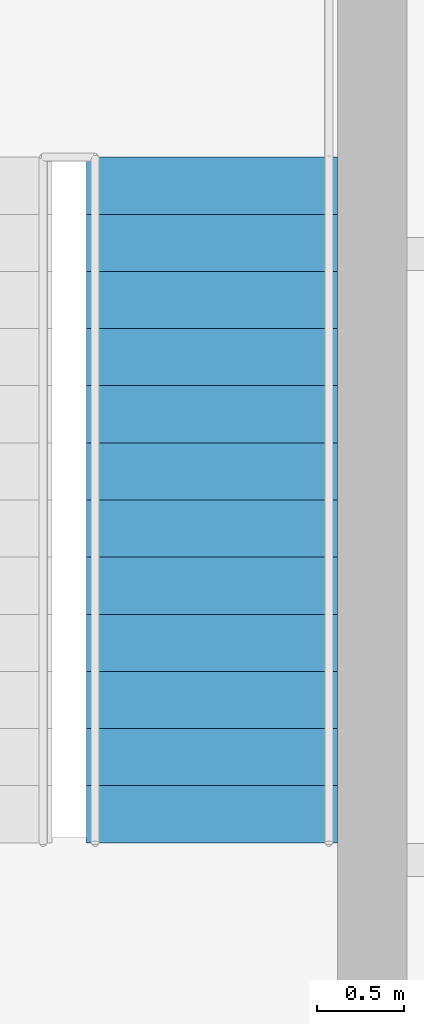
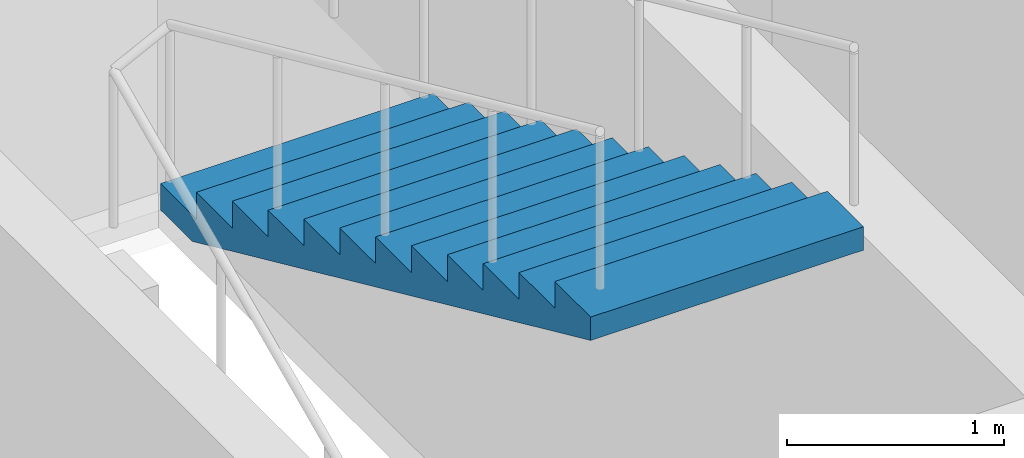
# One storey, part 9 of 10: 1 stair flight, 1 element without a shape of its own.
"""IFC4 building model written with IfcOpenShell, lengths in metres."""

from ifc_helpers import new_model, si_unit, direction, frame, origin, place, context, subcontext, project, spatial, polygons, material, type_object, element, aggregate, save


model = new_model("IFC4")

# Units and contexts
model_context = context("Model", 3, precision=1e-05, world=origin(), true_north=direction((0.0, 1.0)))
body_context = subcontext(model_context, "Body", "Model", "MODEL_VIEW")
ifc_project = project(units=[si_unit("LENGTHUNIT", "METRE"), si_unit("AREAUNIT", "SQUARE_METRE"), si_unit("VOLUMEUNIT", "CUBIC_METRE"), si_unit("PLANEANGLEUNIT", "RADIAN"), si_unit("MASSUNIT", "GRAM", prefix="KILO")], contexts=[model_context])

# Site, building, storey
site_placement = place(None, origin())
site = spatial("IfcSite", under=ifc_project, at=site_placement, CompositionType="ELEMENT")
building_placement = place(site_placement, origin())
building = spatial("IfcBuilding", under=site, at=building_placement, Name="Njiva Tower", CompositionType="ELEMENT")
storey_placement = place(building_placement, frame((0.0, 0.0, 245.4)))
storey = spatial("IfcBuildingStorey", under=building, at=storey_placement, Name="L55", CompositionType="ELEMENT", Elevation=245.4)

# Stair, stair flight
ifc_material = material(Name="Concrete C40/50", Category="concrete")
stair_type = type_object("IfcStairType", Name="ST3 Exit stair 1450", PredefinedType="HALF_TURN_STAIR", material=ifc_material)
stair_placement = place(storey_placement, origin())
stair = element("IfcStair", 1, at=stair_placement, inside=storey, type_object=stair_type, Name="Stair B", PredefinedType="HALF_TURN_STAIR")
stair_flight_type = type_object("IfcStairFlightType", Name="FL3 Stair flight 1450", PredefinedType="STRAIGHT", material=ifc_material)
stair_flight_placement = place(storey_placement, frame((13.375, 15.06, 1.95), z_axis=(0.0, 0.0, 1.0), x_axis=(0.0, -1.0, 0.0)))
stair_flight = element("IfcStairFlight", 2, at=stair_flight_placement, type_object=stair_flight_type, Name="ST-B flight 2", NumberOfRisers=13, NumberOfTreads=12, PredefinedType="STRAIGHT", RiserHeight=0.15, TreadLength=0.33, context=body_context, shape_type="Tessellation", body=[
    polygons([(0.0, 0.725, 0.0), (0.0, 0.3625, 0.0), (0.0, 0.0, 0.0), (0.0, -0.3625, 0.0), (0.0, -0.725, 0.0), (0.0, 0.725, 0.15), (0.0, 0.3625, 0.15), (0.0, 0.0, 0.15), (0.0, -0.3625, 0.15), (0.0, -0.725, 0.15), (0.33, 0.725, 0.15), (0.33, 0.3625, 0.15), (0.33, 0.0, 0.15), (0.33, -0.3625, 0.15), (0.33, -0.725, 0.15), (0.33, 0.725, 0.3), (0.33, 0.3625, 0.3), (0.33, 0.0, 0.3), (0.33, -0.3625, 0.3), (0.33, -0.725, 0.3), (0.66, 0.725, 0.3), (0.66, 0.3625, 0.3), (0.66, 0.0, 0.3), (0.66, -0.3625, 0.3), (0.66, -0.725, 0.3), (0.66, 0.725, 0.45), (0.66, 0.3625, 0.45), (0.66, 0.0, 0.45), (0.66, -0.3625, 0.45), (0.66, -0.725, 0.45), (0.99, 0.725, 0.45), (0.99, 0.3625, 0.45), (0.99, 0.0, 0.45), (0.99, -0.3625, 0.45), (0.99, -0.725, 0.45), (0.99, 0.725, 0.6), (0.99, 0.3625, 0.6), (0.99, 0.0, 0.6), (0.99, -0.3625, 0.6), (0.99, -0.725, 0.6), (1.32, 0.725, 0.6), (1.32, 0.3625, 0.6), (1.32, 0.0, 0.6), (1.32, -0.3625, 0.6), (1.32, -0.725, 0.6), (1.32, 0.725, 0.75), (1.32, 0.3625, 0.75), (1.32, 0.0, 0.75), (1.32, -0.3625, 0.75), (1.32, -0.725, 0.75), (1.65, 0.725, 0.75), (1.65, 0.3625, 0.75), (1.65, 0.0, 0.75), (1.65, -0.3625, 0.75), (1.65, -0.725, 0.75), (1.65, 0.725, 0.9), (1.65, 0.3625, 0.9), (1.65, 0.0, 0.9), (1.65, -0.3625, 0.9), (1.65, -0.725, 0.9), (1.98, 0.725, 0.9), (1.98, 0.3625, 0.9), (1.98, 0.0, 0.9), (1.98, -0.3625, 0.9), (1.98, -0.725, 0.9), (1.98, 0.725, 1.05), (1.98, 0.3625, 1.05), (1.98, 0.0, 1.05), (1.98, -0.3625, 1.05), (1.98, -0.725, 1.05), (2.31, 0.725, 1.05), (2.31, 0.3625, 1.05), (2.31, 0.0, 1.05), (2.31, -0.3625, 1.05), (2.31, -0.725, 1.05), (2.31, 0.725, 1.2), (2.31, 0.3625, 1.2), (2.31, 0.0, 1.2), (2.31, -0.3625, 1.2), (2.31, -0.725, 1.2), (2.64, 0.725, 1.2), (2.64, 0.3625, 1.2), (2.64, 0.0, 1.2), (2.64, -0.3625, 1.2), (2.64, -0.725, 1.2), (2.64, 0.725, 1.35), (2.64, 0.3625, 1.35), (2.64, 0.0, 1.35), (2.64, -0.3625, 1.35), (2.64, -0.725, 1.35), (2.97, 0.725, 1.35), (2.97, 0.3625, 1.35), (2.97, 0.0, 1.35), (2.97, -0.3625, 1.35), (2.97, -0.725, 1.35), (2.97, 0.725, 1.5), (2.97, 0.3625, 1.5), (2.97, 0.0, 1.5), (2.97, -0.3625, 1.5), (2.97, -0.725, 1.5), (3.3, 0.725, 1.5), (3.3, 0.3625, 1.5), (3.3, 0.0, 1.5), (3.3, -0.3625, 1.5), (3.3, -0.725, 1.5), (3.3, 0.725, 1.65), (3.3, 0.3625, 1.65), (3.3, 0.0, 1.65), (3.3, -0.3625, 1.65), (3.3, -0.725, 1.65), (3.63, 0.725, 1.65), (3.63, 0.3625, 1.65), (3.63, 0.0, 1.65), (3.63, -0.3625, 1.65), (3.63, -0.725, 1.65), (3.63, 0.725, 1.8), (3.63, 0.3625, 1.8), (3.63, 0.0, 1.8), (3.63, -0.3625, 1.8), (3.63, -0.725, 1.8), (3.96, 0.725, 1.8), (3.96, 0.3625, 1.8), (3.96, 0.0, 1.8), (3.96, -0.3625, 1.8), (3.96, -0.725, 1.8), (3.96, 0.725, 1.6682), (3.96, 0.3625, 1.6682), (3.96, 0.0, 1.6682), (3.96, -0.3625, 1.6682), (3.96, -0.725, 1.6682), (0.29, 0.725, 0.0), (0.29, 0.3625, 0.0), (0.29, 0.0, 0.0), (0.29, -0.3625, 0.0), (0.29, -0.725, 0.0)], [[[1, 6, 11, 16, 21, 26, 31, 36, 41, 46, 51, 56, 61, 66, 71, 76, 81, 86, 91, 96, 101, 106, 111, 116, 121, 126, 131]], [[135, 130, 125, 120, 115, 110, 105, 100, 95, 90, 85, 80, 75, 70, 65, 60, 55, 50, 45, 40, 35, 30, 25, 20, 15, 10, 5]], [[6, 1, 2, 7]], [[7, 2, 3, 8]], [[8, 3, 4, 9]], [[9, 4, 5, 10]], [[11, 6, 7, 12]], [[12, 7, 8, 13]], [[13, 8, 9, 14]], [[14, 9, 10, 15]], [[16, 11, 12, 17]], [[17, 12, 13, 18]], [[18, 13, 14, 19]], [[19, 14, 15, 20]], [[21, 16, 17, 22]], [[22, 17, 18, 23]], [[23, 18, 19, 24]], [[24, 19, 20, 25]], [[26, 21, 22, 27]], [[27, 22, 23, 28]], [[28, 23, 24, 29]], [[29, 24, 25, 30]], [[31, 26, 27, 32]], [[32, 27, 28, 33]], [[33, 28, 29, 34]], [[34, 29, 30, 35]], [[36, 31, 32, 37]], [[37, 32, 33, 38]], [[38, 33, 34, 39]], [[39, 34, 35, 40]], [[41, 36, 37, 42]], [[42, 37, 38, 43]], [[43, 38, 39, 44]], [[44, 39, 40, 45]], [[46, 41, 42, 47]], [[47, 42, 43, 48]], [[48, 43, 44, 49]], [[49, 44, 45, 50]], [[51, 46, 47, 52]], [[52, 47, 48, 53]], [[53, 48, 49, 54]], [[54, 49, 50, 55]], [[56, 51, 52, 57]], [[57, 52, 53, 58]], [[58, 53, 54, 59]], [[59, 54, 55, 60]], [[61, 56, 57, 62]], [[62, 57, 58, 63]], [[63, 58, 59, 64]], [[64, 59, 60, 65]], [[66, 61, 62, 67]], [[67, 62, 63, 68]], [[68, 63, 64, 69]], [[69, 64, 65, 70]], [[71, 66, 67, 72]], [[72, 67, 68, 73]], [[73, 68, 69, 74]], [[74, 69, 70, 75]], [[76, 71, 72, 77]], [[77, 72, 73, 78]], [[78, 73, 74, 79]], [[79, 74, 75, 80]], [[81, 76, 77, 82]], [[82, 77, 78, 83]], [[83, 78, 79, 84]], [[84, 79, 80, 85]], [[86, 81, 82, 87]], [[87, 82, 83, 88]], [[88, 83, 84, 89]], [[89, 84, 85, 90]], [[91, 86, 87, 92]], [[92, 87, 88, 93]], [[93, 88, 89, 94]], [[94, 89, 90, 95]], [[96, 91, 92, 97]], [[97, 92, 93, 98]], [[98, 93, 94, 99]], [[99, 94, 95, 100]], [[101, 96, 97, 102]], [[102, 97, 98, 103]], [[103, 98, 99, 104]], [[104, 99, 100, 105]], [[106, 101, 102, 107]], [[107, 102, 103, 108]], [[108, 103, 104, 109]], [[109, 104, 105, 110]], [[111, 106, 107, 112]], [[112, 107, 108, 113]], [[113, 108, 109, 114]], [[114, 109, 110, 115]], [[116, 111, 112, 117]], [[117, 112, 113, 118]], [[118, 113, 114, 119]], [[119, 114, 115, 120]], [[121, 116, 117, 122]], [[122, 117, 118, 123]], [[123, 118, 119, 124]], [[124, 119, 120, 125]], [[126, 121, 122, 127]], [[127, 122, 123, 128]], [[128, 123, 124, 129]], [[129, 124, 125, 130]], [[131, 126, 127, 132]], [[132, 127, 128, 133]], [[133, 128, 129, 134]], [[134, 129, 130, 135]], [[1, 131, 132, 2]], [[2, 132, 133, 3]], [[3, 133, 134, 4]], [[4, 134, 135, 5]]], closed=True),
])
aggregate(stair, [stair_flight])

save(model, "model.ifc")
